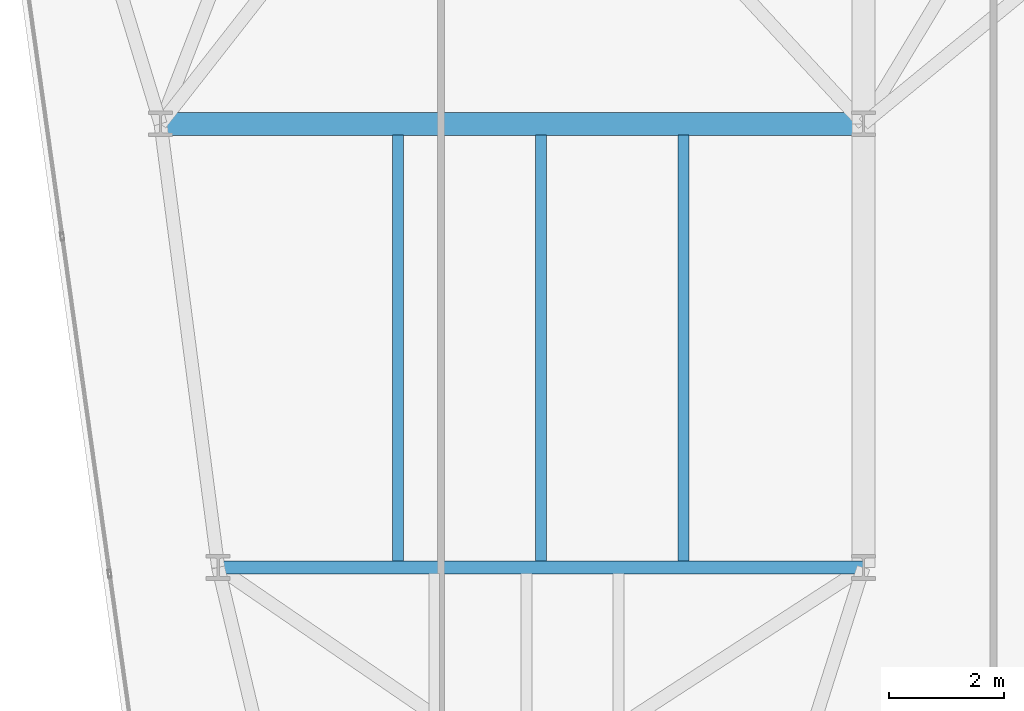
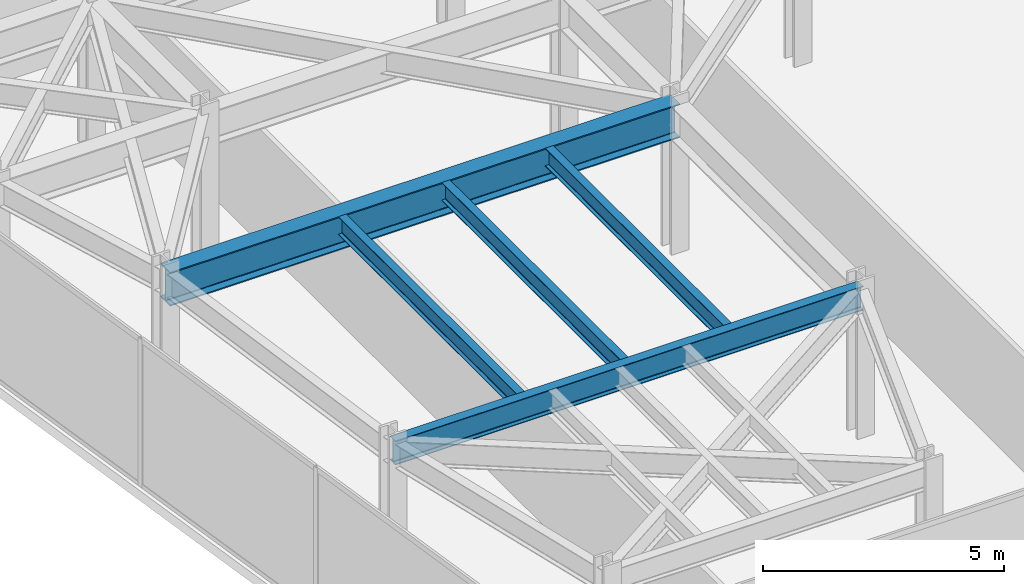
# One storey, part 6 of 26: 5 beams.
"""IFC4 building model written with IfcOpenShell, lengths in metres."""

from ifc_helpers import new_model, si_unit, direction, frame, origin, origin_2d, place, context, subcontext, project, spatial, i_section, extrude, material, material_profile, profile_set, type_object, element, save


model = new_model("IFC4")

# Units and contexts
model_context = context("Model", 3, precision=1e-05, world=origin(), true_north=direction((0.0, 1.0)))
body_context = subcontext(model_context, "Body", "Model", "MODEL_VIEW")
ifc_project = project(units=[si_unit("LENGTHUNIT", "METRE"), si_unit("AREAUNIT", "SQUARE_METRE"), si_unit("VOLUMEUNIT", "CUBIC_METRE"), si_unit("PLANEANGLEUNIT", "RADIAN"), si_unit("MASSUNIT", "GRAM", prefix="KILO")], contexts=[model_context])

# Site, building, storey
site_placement = place(None, origin())
site = spatial("IfcSite", under=ifc_project, at=site_placement, CompositionType="ELEMENT")
building_placement = place(site_placement, origin())
building = spatial("IfcBuilding", under=site, at=building_placement, Name="Kravanh Interchange Tower", CompositionType="ELEMENT")
storey_placement = place(building_placement, frame((0.0, 0.0, 128.0)))
storey = spatial("IfcBuildingStorey", under=building, at=storey_placement, Name="L30", CompositionType="ELEMENT", Elevation=128.0)

# Beams
ifc_material_1 = material(Name="Structural Steel S355", Category="steel")
ifc_material_profile_1 = material_profile(ifc_material_1, i_section(OverallWidth=0.39990234375, OverallDepth=0.85595703125, WebThickness=0.018310546875, FlangeThickness=0.029296875, FilletRadius=0.02490234375, at=origin_2d()), Name="W33X201")
ifc_profile_set_1 = profile_set([ifc_material_profile_1], Name="Structural Steel S355")
beam_type_1 = type_object("IfcBeamType", Name="Floor Beam W33X201 Structural Steel S355", PredefinedType="BEAM", material=ifc_profile_set_1)
beam_1_placement = place(storey_placement, frame((15.0, 22.199951171875, 3.322021484375), z_axis=(1.0, 0.0, 0.0), x_axis=(0.0, 1.0, 0.0)))
element("IfcBeam", 1, at=beam_1_placement, inside=storey, type_object=beam_type_1, Name="L30 Primary Floor Girder 108", PredefinedType="BEAM", context=body_context, shape_type="SweptSolid", body=[
    extrude(i_section(OverallWidth=0.39990234375, OverallDepth=0.85595703125, WebThickness=0.018310546875, FlangeThickness=0.029296875, FilletRadius=0.02490234375, at=origin_2d()), origin(), (0.0, 0.0, 1.0), 12.199951171875),
])
ifc_material_2 = material(Name="Structural Steel S355", Category="steel")
ifc_material_profile_2 = material_profile(ifc_material_2, i_section(OverallWidth=0.18994140625, OverallDepth=0.45703125, WebThickness=0.009033203125, FlangeThickness=0.014404296875, FilletRadius=0.01806640625, at=origin_2d()), Name="W18X50")
ifc_profile_set_2 = profile_set([ifc_material_profile_2], Name="Structural Steel S355")
beam_type_2 = type_object("IfcBeamType", Name="Floor Joist W18X50 Structural Steel S355", PredefinedType="JOIST", material=ifc_profile_set_2)
for number, where, z_axis, x_axis, name in (
    (2, (19.125, 14.60888671875, 3.521484375), (0.0, 1.0, 0.0), (-1.0, 0.0, 0.0), "L30 Secondary Floor Joist 7"),
    (3, (21.60009765625, 14.60888671875, 3.521484375), (0.0, 1.0, 0.0), (-1.0, 0.0, 0.0), "L30 Secondary Floor Joist 8"),
    (4, (24.074951171875, 14.60888671875, 3.521484375), (0.0, 1.0, 0.0), (-1.0, 0.0, 0.0), "L30 Secondary Floor Joist 9"),
):
    element("IfcBeam", number, at=place(storey_placement, frame(where, z_axis=z_axis, x_axis=x_axis)), inside=storey, type_object=beam_type_2, Name=name, PredefinedType="JOIST", context=body_context, shape_type="SweptSolid", body=[
        extrude(i_section(OverallWidth=0.18994140625, OverallDepth=0.45703125, WebThickness=0.009033203125, FlangeThickness=0.014404296875, FilletRadius=0.01806640625, at=origin_2d()), origin(), (0.0, 0.0, 1.0), 7.39599609375),
    ])
ifc_material_3 = material(Name="Structural Steel S355", Category="steel")
ifc_material_profile_3 = material_profile(ifc_material_3, i_section(OverallWidth=0.22802734375, OverallDepth=0.60791015625, WebThickness=0.01123046875, FlangeThickness=0.017333984375, FilletRadius=0.02197265625, at=origin_2d()), Name="W24X76")
ifc_profile_set_3 = profile_set([ifc_material_profile_3], Name="Structural Steel S355")
beam_type_3 = type_object("IfcBeamType", Name="Floor Spandrel W24X76 Structural Steel S355", PredefinedType="SPANDREL", material=ifc_profile_set_3)
beam_2_placement = place(storey_placement, frame((16.0, 14.5, 3.446044921875), z_axis=(1.0, 0.0, 0.0), x_axis=(0.0, 1.0, 0.0)))
element("IfcBeam", 5, at=beam_2_placement, inside=storey, type_object=beam_type_3, Name="L30 Perimeter Spandrel 101", PredefinedType="SPANDREL", context=body_context, shape_type="SweptSolid", body=[
    extrude(i_section(OverallWidth=0.22802734375, OverallDepth=0.60791015625, WebThickness=0.01123046875, FlangeThickness=0.017333984375, FilletRadius=0.02197265625, at=origin_2d()), origin(), (0.0, 0.0, 1.0), 11.199951171875),
])

save(model, "model.ifc")
